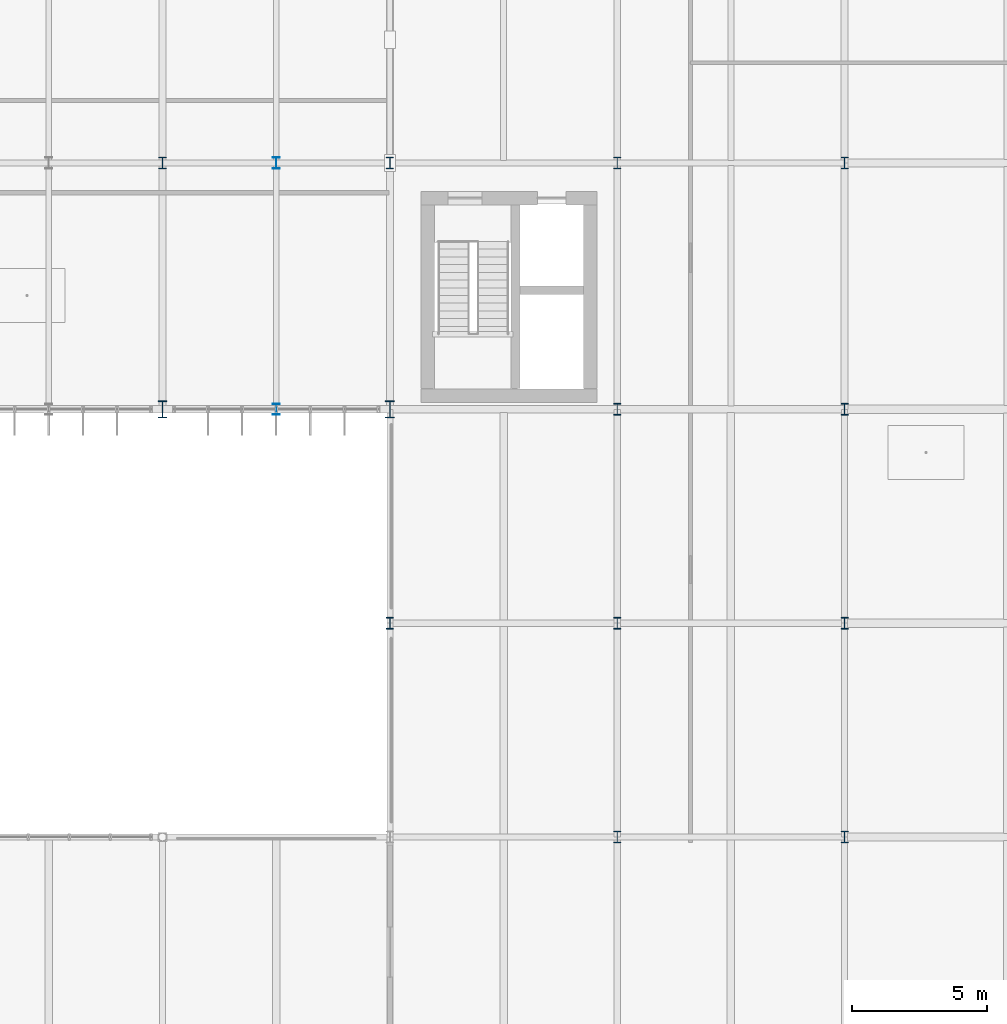
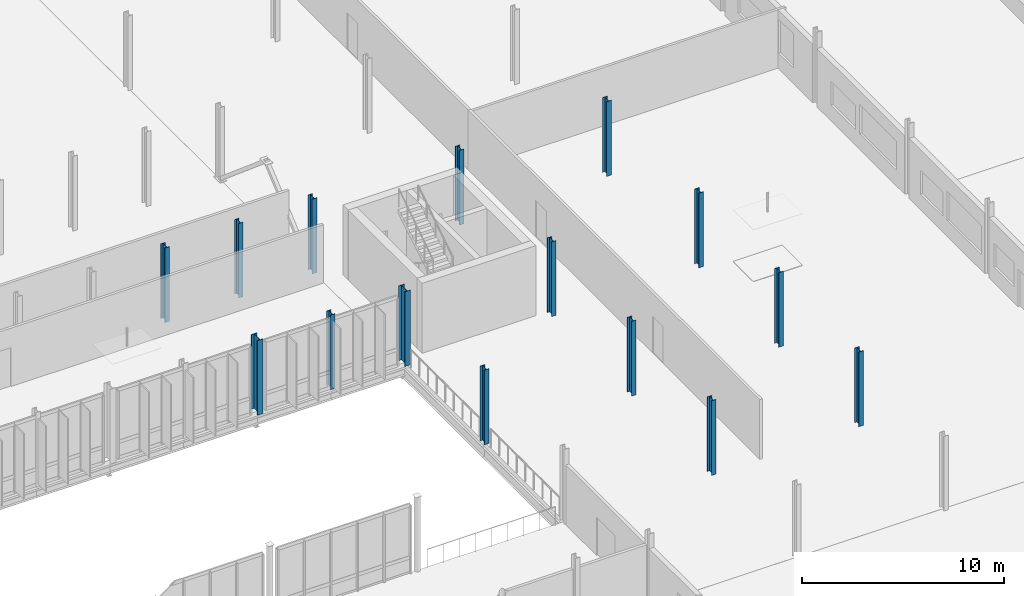
# One storey, part 14 of 139: 15 columns.
"""IFC4 building model written with IfcOpenShell, lengths in metres."""

from ifc_helpers import new_model, si_unit, derived_unit, direction, frame, origin, origin_2d, place, context, subcontext, project, spatial, i_section, extrude, material, material_profile, profile_set, type_object, element, save


model = new_model("IFC4")

# Units and contexts
model_context = context("Model", 3, precision=1e-05, world=origin(), true_north=direction((0.0, 1.0)))
body_context = subcontext(model_context, "Body", "Model", "MODEL_VIEW")
ifc_project = project(units=[si_unit("LENGTHUNIT", "METRE"), si_unit("AREAUNIT", "SQUARE_METRE"), si_unit("VOLUMEUNIT", "CUBIC_METRE"), si_unit("PLANEANGLEUNIT", "RADIAN"), si_unit("MASSUNIT", "GRAM", prefix="KILO"), derived_unit("THERMALTRANSMITTANCEUNIT", [(si_unit("MASSUNIT", "GRAM", prefix="KILO"), 1), (si_unit("TIMEUNIT", "SECOND"), -3), (si_unit("THERMODYNAMICTEMPERATUREUNIT", "KELVIN"), -1)])], contexts=[model_context])

# Site, building, storey
site_placement = place(None, origin())
site = spatial("IfcSite", under=ifc_project, at=site_placement, CompositionType="ELEMENT")
building_placement = place(site_placement, origin())
building = spatial("IfcBuilding", under=site, at=building_placement, Name="Makaiwela Harbour Ferry Terminal", CompositionType="ELEMENT")
storey_placement = place(building_placement, frame((0.0, 0.0, 5.10009765625)))
storey = spatial("IfcBuildingStorey", under=building, at=storey_placement, Name="L01", CompositionType="ELEMENT", Elevation=5.10009765625)

# Columns
ifc_material = material(Name="Steel ASTM A992 Grade 50", Category="steel")
ifc_material_profile_1 = material_profile(ifc_material, i_section(OverallWidth=0.264892578125, OverallDepth=0.430908203125, WebThickness=0.014892578125, FlangeThickness=0.02490234375, at=origin_2d()), Name="W16X100")
ifc_profile_set_1 = profile_set([ifc_material_profile_1], Name="Steel ASTM A992 Grade 50")
column_type_1 = type_object("IfcColumnType", Name="STR-COL-W16X100", PredefinedType="COLUMN", material=ifc_profile_set_1)
for number, where, z_axis, x_axis, name in (
    (1, (130.199951171875, 58.5, 0.0), (0.0, 0.0, 1.0), (1.0, 0.0, 0.0), "Structural Column C-03"),
    (2, (138.60009765625, 58.5, 0.0), (0.0, 0.0, 1.0), (1.0, 0.0, 0.0), "Structural Column C-03"),
    (3, (138.60009765625, 41.5, 0.0), (0.0, 0.0, 1.0), (1.0, 0.0, 0.0), "Structural Column C-03"),
    (4, (147.0, 33.60009765625, 0.0), (0.0, 0.0, 1.0), (1.0, 0.0, 0.0), "Structural Column C-03"),
    (5, (147.0, 41.5, 0.0), (0.0, 0.0, 1.0), (1.0, 0.0, 0.0), "Structural Column C-03"),
    (6, (147.0, 49.39990234375, 0.0), (0.0, 0.0, 1.0), (1.0, 0.0, 0.0), "Structural Column C-03"),
    (7, (147.0, 58.5, 0.0), (0.0, 0.0, 1.0), (1.0, 0.0, 0.0), "Structural Column C-03"),
    (8, (155.39990234375, 33.60009765625, 0.0), (0.0, 0.0, 1.0), (1.0, 0.0, 0.0), "Structural Column C-03"),
    (9, (155.39990234375, 41.5, 0.0), (0.0, 0.0, 1.0), (1.0, 0.0, 0.0), "Structural Column C-03"),
    (10, (155.39990234375, 49.39990234375, 0.0), (0.0, 0.0, 1.0), (1.0, 0.0, 0.0), "Structural Column C-03"),
    (11, (155.39990234375, 58.5, 0.0), (0.0, 0.0, 1.0), (1.0, 0.0, 0.0), "Structural Column C-03"),
):
    element("IfcColumn", number, at=place(storey_placement, frame(where, z_axis=z_axis, x_axis=x_axis)), inside=storey, type_object=column_type_1, Name=name, PredefinedType="COLUMN", context=body_context, shape_type="SweptSolid", body=[
        extrude(i_section(OverallWidth=0.264892578125, OverallDepth=0.430908203125, WebThickness=0.014892578125, FlangeThickness=0.02490234375, at=origin_2d()), origin(), (0.0, 0.0, 1.0), 4.5),
    ])
ifc_material_profile_2 = material_profile(ifc_material, i_section(OverallWidth=0.260986328125, OverallDepth=0.4189453125, WebThickness=0.01171875, FlangeThickness=0.019287109375, at=origin_2d()), Name="W16X77")
ifc_profile_set_2 = profile_set([ifc_material_profile_2], Name="Steel ASTM A992 Grade 50")
column_type_2 = type_object("IfcColumnType", Name="STR-COL-W16X77", PredefinedType="COLUMN", material=ifc_profile_set_2)
for number, where, z_axis, x_axis, name in (
    (12, (134.39990234375, 49.39990234375, 0.0), (0.0, 0.0, 1.0), (1.0, 0.0, 0.0), "Structural Column C-04"),
    (13, (134.39990234375, 58.5, 0.0), (0.0, 0.0, 1.0), (1.0, 0.0, 0.0), "Structural Column C-04"),
):
    element("IfcColumn", number, at=place(storey_placement, frame(where, z_axis=z_axis, x_axis=x_axis)), inside=storey, type_object=column_type_2, Name=name, PredefinedType="COLUMN", context=body_context, shape_type="SweptSolid", body=[
        extrude(i_section(OverallWidth=0.260986328125, OverallDepth=0.4189453125, WebThickness=0.01171875, FlangeThickness=0.019287109375, at=origin_2d()), origin(), (0.0, 0.0, 1.0), 4.5),
    ])
ifc_material_profile_3 = material_profile(ifc_material, i_section(OverallWidth=0.327880859375, OverallDepth=0.6279296875, WebThickness=0.0166015625, FlangeThickness=0.027587890625, at=origin_2d()), Name="W24X146")
ifc_profile_set_3 = profile_set([ifc_material_profile_3], Name="Steel ASTM A992 Grade 50")
column_type_3 = type_object("IfcColumnType", Name="STR-COL-W24X146", PredefinedType="COLUMN", material=ifc_profile_set_3)
for number, where, z_axis, x_axis, name in (
    (14, (130.199951171875, 49.39990234375, 0.0), (0.0, 0.0, 1.0), (1.0, 0.0, 0.0), "Structural Column C-01"),
    (15, (138.60009765625, 49.39990234375, 0.0), (0.0, 0.0, 1.0), (1.0, 0.0, 0.0), "Structural Column C-01"),
):
    element("IfcColumn", number, at=place(storey_placement, frame(where, z_axis=z_axis, x_axis=x_axis)), inside=storey, type_object=column_type_3, Name=name, PredefinedType="COLUMN", context=body_context, shape_type="SweptSolid", body=[
        extrude(i_section(OverallWidth=0.327880859375, OverallDepth=0.6279296875, WebThickness=0.0166015625, FlangeThickness=0.027587890625, at=origin_2d()), origin(), (0.0, 0.0, 1.0), 4.5),
    ])

save(model, "model.ifc")
